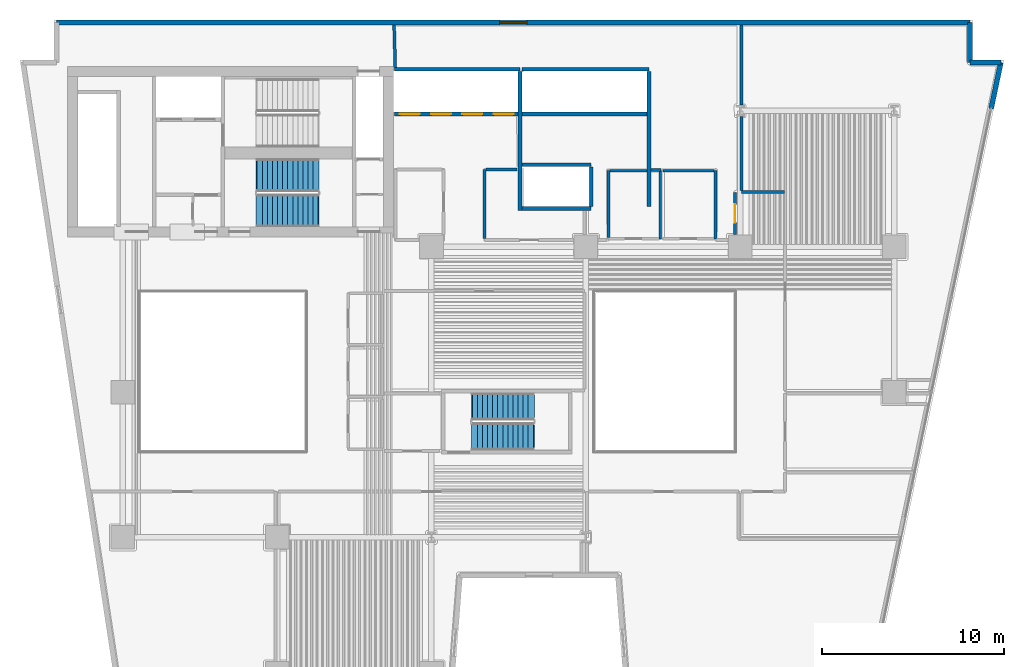
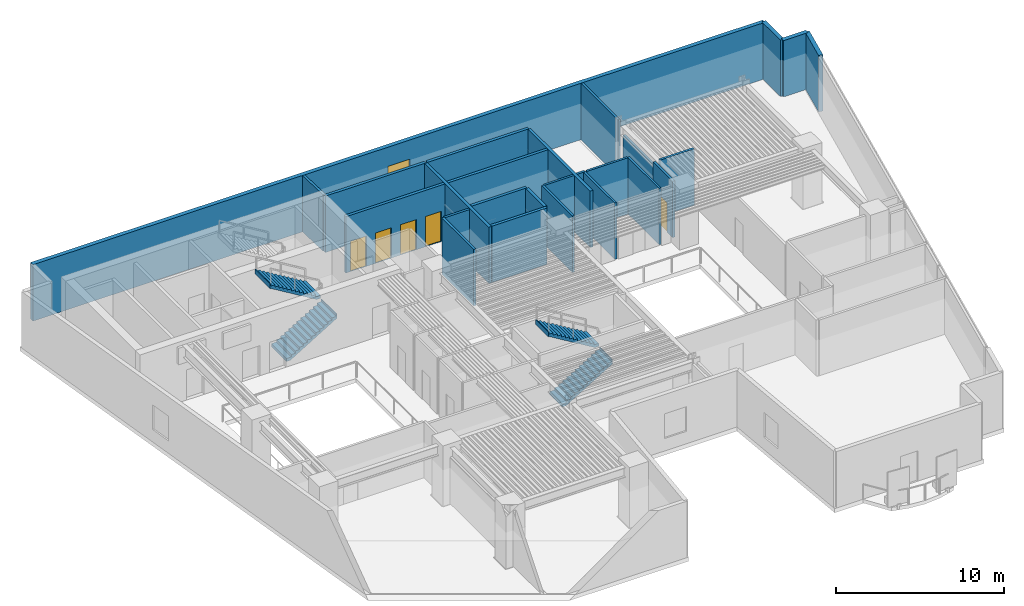
# One storey, part 6 of 12: 26 walls, 5 doors, 4 stair flights, 1 window, 6 openings, 2 elements without a shape of their own.
"""IFC4 building model written with IfcOpenShell, lengths in metres."""

import ifcopenshell
import ifcopenshell.guid

model = None  # the IFC model being written
_history = None  # IfcOwnerHistory: only IFC2X3 demands one
_inside = {}  # id of a spatial element -> (the spatial element, [elements in it])
_under = {}  # id of a project, library or spatial element -> (it, [spatial elements below it])
_declared = {}  # id of a project -> (the project, [libraries it declares])
_typed = {}  # id of a type object -> (the type object, [elements of that type])
_made_of = {}  # id of a material, layer set ... -> (it, [elements and type objects made of it])


def new_model(schema):
    """Start an empty IFC model of exactly this schema.

    Asked for "IFC4X3", IfcOpenShell would pick the latest addendum, in which some entities
    have other attributes; the version numbers below select the first issue.
    IFC2X3 requires an IfcOwnerHistory on every rooted entity: one is made here for all.
    """
    global model, _history
    if schema == "IFC4X3":
        model = ifcopenshell.file(schema_version=(4, 3, 0, 0))
    else:
        model = ifcopenshell.file(schema=schema)
    _inside.clear()
    _under.clear()
    _declared.clear()
    _typed.clear()
    _made_of.clear()
    _history = None
    if model.schema == "IFC2X3":
        org = make("IfcOrganization", Name="unknown")
        user = make(
            "IfcPersonAndOrganization",
            ThePerson=make("IfcPerson", FamilyName="unknown"),
            TheOrganization=org,
        )
        app = make(
            "IfcApplication",
            ApplicationDeveloper=org,
            Version="unknown",
            ApplicationFullName="unknown",
            ApplicationIdentifier="unknown",
        )
        _history = make(
            "IfcOwnerHistory",
            OwningUser=user,
            OwningApplication=app,
            ChangeAction="ADDED",
            CreationDate=0,
        )
    return model


def make(cls, **values):
    """One entity of the class cls with the attributes given. An attribute that is None is left unset."""
    return model.create_entity(
        cls, **{name: value for name, value in values.items() if value is not None}
    )


def rooted(cls, **values):
    """An entity with a GlobalId (a new one), such as an element, a storey or a relation."""
    return make(cls, GlobalId=ifcopenshell.guid.new(), OwnerHistory=_history, **values)


def si_unit(unit_type, name, prefix=None):
    """IfcSIUnit, for example si_unit("LENGTHUNIT", "METRE", prefix="MILLI")."""
    return make("IfcSIUnit", UnitType=unit_type, Prefix=prefix, Name=name)


def assignment(units):
    """IfcUnitAssignment: the units of a project."""
    return None if units is None else make("IfcUnitAssignment", Units=units)


def point(xyz):
    """IfcCartesianPoint."""
    return None if xyz is None else make("IfcCartesianPoint", Coordinates=xyz)


def direction(xyz):
    """IfcDirection."""
    return None if xyz is None else make("IfcDirection", DirectionRatios=xyz)


def frame(location, z_axis=None, x_axis=None):
    """IfcAxis2Placement3D, a coordinate frame: its origin and axes. An axis left out is left unset."""
    return make(
        "IfcAxis2Placement3D",
        Location=point(location),
        Axis=direction(z_axis),
        RefDirection=direction(x_axis),
    )


def frame_2d(location, x_axis=None):
    """IfcAxis2Placement2D, a coordinate frame in the plane: its origin and x axis."""
    return make(
        "IfcAxis2Placement2D", Location=point(location), RefDirection=direction(x_axis)
    )


def origin():
    """The frame at (0, 0, 0) with its axes left unset."""
    return frame((0.0, 0.0, 0.0))


def place(relative_to, where):
    """IfcLocalPlacement: puts the frame where relative to a parent placement (None: the world)."""
    return make(
        "IfcLocalPlacement", PlacementRelTo=relative_to, RelativePlacement=where
    )


def context(
    kind, dimensions, precision=None, world=None, true_north=None, identifier=None
):
    """IfcGeometricRepresentationContext, for example the 3D "Model" context."""
    return make(
        "IfcGeometricRepresentationContext",
        ContextIdentifier=identifier,
        ContextType=kind,
        CoordinateSpaceDimension=dimensions,
        Precision=precision,
        WorldCoordinateSystem=world,
        TrueNorth=true_north,
    )


def subcontext(parent, identifier, kind, view, scale=None):
    """IfcGeometricRepresentationSubContext, for example "Body" below "Model"."""
    return make(
        "IfcGeometricRepresentationSubContext",
        ContextIdentifier=identifier,
        ContextType=kind,
        ParentContext=parent,
        TargetScale=scale,
        TargetView=view,
    )


def project(units=None, contexts=None):
    """IfcProject with its units and contexts."""
    return rooted(
        "IfcProject",
        Name="project",
        RepresentationContexts=contexts,
        UnitsInContext=assignment(units),
    )


def spatial(cls, under=None, at=None, **own):
    """A site, building, storey or space (cls), placed at a placement, below another one or the project."""
    s = rooted(cls, ObjectPlacement=at, **own)
    if under is not None:
        _under.setdefault(under.id(), (under, []))[1].append(s)
    return s


def polyline(points):
    """IfcPolyline through the points."""
    return make("IfcPolyline", Points=[point(p) for p in points])


def profile(cls, at=None, kind="AREA", **sizes):
    """A parametric profile (cls). Its sizes go by their IFC names, for example OverallWidth=200.0."""
    return make(cls, ProfileType=kind, Position=at, **sizes)


def rectangle(**sizes):
    """IfcRectangleProfileDef."""
    return profile("IfcRectangleProfileDef", **sizes)


def outline(outer, holes=None, kind="AREA"):
    """IfcArbitraryClosedProfileDef: a profile drawn as a closed curve; with holes, ...WithVoids."""
    if holes is None:
        return make("IfcArbitraryClosedProfileDef", ProfileType=kind, OuterCurve=outer)
    return make(
        "IfcArbitraryProfileDefWithVoids",
        ProfileType=kind,
        OuterCurve=outer,
        InnerCurves=holes,
    )


def extrude(swept, where, along, depth):
    """IfcExtrudedAreaSolid: the profile swept, set in the frame where, extruded along a direction by depth."""
    return make(
        "IfcExtrudedAreaSolid",
        SweptArea=swept,
        Position=where,
        ExtrudedDirection=direction(along),
        Depth=depth,
    )


def shape(context_of_items, identifier, shape_type, items):
    """IfcShapeRepresentation: the items that make up one representation, for example the "Body"."""
    return make(
        "IfcShapeRepresentation",
        ContextOfItems=context_of_items,
        RepresentationIdentifier=identifier,
        RepresentationType=shape_type,
        Items=items,
    )


def material(Name=None, Category=None):
    """IfcMaterial."""
    return make("IfcMaterial", Name=Name, Category=Category)


def layer(
    of_material, thickness, ventilated=None, Name=None, Category=None, Priority=None
):
    """IfcMaterialLayer: one layer of a wall or slab, of a material (None: an air gap)."""
    return make(
        "IfcMaterialLayer",
        Material=of_material,
        LayerThickness=thickness,
        IsVentilated=ventilated,
        Name=Name,
        Category=Category,
        Priority=Priority,
    )


def layer_set(layers, Name=None):
    """IfcMaterialLayerSet."""
    return make("IfcMaterialLayerSet", MaterialLayers=layers, LayerSetName=Name)


def made_of(thing, what):
    """Note that an element or type object is made of a material, layer set ...; save() writes the relation."""
    if what is not None:
        _made_of.setdefault(what.id(), (what, []))[1].append(thing)
    return thing


def type_object(cls, material=None, **own):
    """A type object (cls), such as IfcWallType, which elements share."""
    return made_of(rooted(cls, **own), material)


def element(
    cls,
    number,
    at=None,
    inside=None,
    cuts=None,
    type_object=None,
    material=None,
    context=None,
    identifier="Body",
    shape_type=None,
    held_by="IfcProductDefinitionShape",
    body=None,
    shapes=None,
    **own,
):
    """One element of the class cls, such as IfcWall. Its Tag is "e" and its number.

    at: its placement. inside: the storey or other place that contains it. cuts: it is an
    opening in that element (IfcRelVoidsElement). A single representation is given by context,
    identifier, shape_type and body (its items); several are given by shapes. held_by: the class
    of the entity that holds the representations. save() writes the other relations.
    """
    e = rooted(cls, Tag="e%d" % number, ObjectPlacement=at, **own)
    if body is not None:
        shapes = [shape(context, identifier, shape_type, body)]
    if shapes is not None:
        e.Representation = make(held_by, Representations=shapes)
    if inside is not None:
        _inside.setdefault(inside.id(), (inside, []))[1].append(e)
    if cuts is not None:
        rooted(
            "IfcRelVoidsElement", RelatingBuildingElement=cuts, RelatedOpeningElement=e
        )
    if type_object is not None:
        _typed.setdefault(type_object.id(), (type_object, []))[1].append(e)
    return made_of(e, material)


def fill(opening, filler):
    """IfcRelFillsElement: the door or window that sits in an opening."""
    return rooted(
        "IfcRelFillsElement",
        RelatingOpeningElement=opening,
        RelatedBuildingElement=filler,
    )


def aggregate(whole, parts):
    """IfcRelAggregates: a whole, such as a stair, and the parts it consists of."""
    return rooted("IfcRelAggregates", RelatingObject=whole, RelatedObjects=parts)


def save(model, path):
    """Write the relations noted so far, then the file.

    IfcRelAggregates (storeys below a building ...), IfcRelContainedInSpatialStructure (elements
    in a storey), IfcRelDefinesByType, IfcRelAssociatesMaterial and IfcRelDeclares: one each for
    every whole, place, type object, material and project.
    """
    for whole, parts in _under.values():
        aggregate(whole, parts)
    for where, things in _inside.values():
        rooted(
            "IfcRelContainedInSpatialStructure",
            RelatedElements=things,
            RelatingStructure=where,
        )
    for kind, things in _typed.values():
        rooted("IfcRelDefinesByType", RelatedObjects=things, RelatingType=kind)
    for what, things in _made_of.values():
        rooted("IfcRelAssociatesMaterial", RelatedObjects=things, RelatingMaterial=what)
    for by, libraries in _declared.values():
        rooted("IfcRelDeclares", RelatingContext=by, RelatedDefinitions=libraries)
    model.write(path)


model = new_model("IFC4")

# Units and contexts
model_context = context("Model", 3, precision=1e-05, world=origin(), true_north=direction((0.0, 1.0)))
body_context = subcontext(model_context, "Body", "Model", "MODEL_VIEW")
ifc_project = project(units=[si_unit("LENGTHUNIT", "METRE"), si_unit("AREAUNIT", "SQUARE_METRE"), si_unit("VOLUMEUNIT", "CUBIC_METRE"), si_unit("PLANEANGLEUNIT", "RADIAN"), si_unit("MASSUNIT", "GRAM", prefix="KILO")], contexts=[model_context])

# Site, building, storey
site_placement = place(None, origin())
site = spatial("IfcSite", under=ifc_project, at=site_placement, CompositionType="ELEMENT")
building_placement = place(site_placement, origin())
building = spatial("IfcBuilding", under=site, at=building_placement, Name="Caeloran Harvest Quay", CompositionType="ELEMENT")
storey_placement = place(building_placement, frame((0.0, 0.0, 31.39990234375)))
storey = spatial("IfcBuildingStorey", under=building, at=storey_placement, Name="L07", CompositionType="ELEMENT", Elevation=31.39990234375)

# Wall, opening, window
ifc_material_1 = material(Name="Precast concrete C50/60", Category="concrete")
ifc_layer_1 = layer(ifc_material_1, 0.280029296875, Name="Precast concrete C50/60")
ifc_layer_set_1 = layer_set([ifc_layer_1], Name="Precast concrete C50/60")
wall_type_1 = type_object("IfcWallType", Name="ENV-WALL-EW-280", PredefinedType="STANDARD", material=ifc_layer_set_1)
wall_1_placement = place(storey_placement, frame((4.840087890625, 43.360107421875, 0.0), z_axis=(0.0, 0.0, 1.0), x_axis=(1.0, 0.0, 0.0)))
wall_1 = element("IfcWall", 1, at=wall_1_placement, inside=storey, type_object=wall_type_1, Name="L07 Exterior Precast Concrete Facade Wall 6", PredefinedType="STANDARD", context=body_context, shape_type="SweptSolid", body=[
    extrude(rectangle(XDim=50.31982421875, YDim=0.280029296875, at=frame_2d((25.159912109375, 0.0))), origin(), (0.0, 0.0, 1.0), 4.10009765625),
])
opening_1_placement = place(wall_1_placement, frame((24.409912109375, 0.0, 0.89990234375)))
opening_1 = element("IfcOpeningElement", 2, at=opening_1_placement, cuts=wall_1, Name="Opening W-03", PredefinedType="OPENING", context=body_context, shape_type="SweptSolid", body=[
    extrude(rectangle(XDim=1.5, YDim=1.800048828125, at=frame_2d((0.75, 0.89990234375))), frame((0.0, 0.14990234375, 0.0), z_axis=(0.0, -1.0, 0.0), x_axis=(1.0, 0.0, 0.0)), (0.0, 0.0, 1.0), 0.300048828125),
])
ifc_material_2 = material(Name="Aluminium-Framed Low-E Laminated Glass", Category="aluminium")
window_type = type_object("IfcWindowType", Name="WIN-W-03", PartitioningType="SINGLE_PANEL", PredefinedType="WINDOW", material=ifc_material_2)
window_placement = place(opening_1_placement, origin())
window = element("IfcWindow", 3, at=window_placement, inside=storey, type_object=window_type, Name="L07 Facade Punched Window W-03", OverallHeight=1.800048828125, OverallWidth=1.5, PartitioningType="SINGLE_PANEL", PredefinedType="WINDOW", context=body_context, shape_type="SweptSolid", body=[
    extrude(rectangle(XDim=1.5, YDim=1.800048828125, at=frame_2d((0.75, 0.89990234375))), frame((0.0, 0.030029296875, 0.0), z_axis=(0.0, -1.0, 0.0), x_axis=(1.0, 0.0, 0.0)), (0.0, 0.0, 1.0), 0.06005859375),
])
fill(opening_1, window)

# Walls
wall_2_placement = place(storey_placement, frame((55.159912109375, 43.360107421875, 0.0), z_axis=(0.0, 0.0, 1.0), x_axis=(0.0, -1.0, 0.0)))
element("IfcWall", 4, at=wall_2_placement, inside=storey, type_object=wall_type_1, Name="L07 Exterior Precast Concrete Facade Wall 7", PredefinedType="STANDARD", context=body_context, shape_type="SweptSolid", body=[
    extrude(rectangle(XDim=2.2001953125, YDim=0.280029296875, at=frame_2d((1.10009765625, 0.0))), origin(), (0.0, 0.0, 1.0), 4.10009765625),
])
wall_3_placement = place(storey_placement, frame((55.159912109375, 41.159912109375, 0.0), z_axis=(0.0, 0.0, 1.0), x_axis=(1.0, 0.0, 0.0)))
element("IfcWall", 5, at=wall_3_placement, inside=storey, type_object=wall_type_1, Name="L07 Exterior Precast Concrete Facade Wall 8", PredefinedType="STANDARD", context=body_context, shape_type="SweptSolid", body=[
    extrude(rectangle(XDim=1.705322265625, YDim=0.280029296875, at=frame_2d((0.8525390625, 0.0))), origin(), (0.0, 0.0, 1.0), 4.10009765625),
])
wall_4_placement = place(storey_placement, frame((56.865234375, 41.159912109375, 0.0), z_axis=(0.0, 0.0, 1.0), x_axis=(-0.205551409765, -0.978646319128, 0.0)))
element("IfcWall", 6, at=wall_4_placement, inside=storey, type_object=wall_type_1, Name="L07 Exterior Facade Corner Pier Wall 9A", PredefinedType="STANDARD", context=body_context, shape_type="SweptSolid", body=[
    extrude(rectangle(XDim=2.599853515625, YDim=0.280029296875, at=frame_2d((1.2998046875, 0.0))), origin(), (0.0, 0.0, 1.0), 4.10009765625),
])
ifc_material_3 = material(Name="Autoclaved Aerated Concrete Blockwork and Plasterboard", Category="masonry")
ifc_layer_2 = layer(ifc_material_3, 0.14990234375, Name="Autoclaved Aerated Concrete Blockwork and Plasterboard")
ifc_layer_set_2 = layer_set([ifc_layer_2], Name="Autoclaved Aerated Concrete Blockwork and Plasterboard")
wall_type_2 = type_object("IfcWallType", Name="INT-WALL-PW-150", PredefinedType="PARTITIONING", material=ifc_layer_set_2)
wall_5_placement = place(storey_placement, frame((38.10009765625, 35.199951171875, 0.0), z_axis=(0.0, 0.0, 1.0), x_axis=(0.0, -1.0, 0.0)))
element("IfcWall", 7, at=wall_5_placement, inside=storey, type_object=wall_type_2, Name="L07 Core Telemetry West Room Partition Wall", PredefinedType="PARTITIONING", context=body_context, shape_type="SweptSolid", body=[
    extrude(rectangle(XDim=3.75, YDim=0.14990234375, at=frame_2d((1.875, 0.0))), origin(), (0.0, 0.0, 1.0), 4.10009765625),
])
wall_6_placement = place(storey_placement, frame((35.25, 31.530029296875, 0.0), z_axis=(0.0, 0.0, 1.0), x_axis=(0.0, 1.0, 0.0)))
element("IfcWall", 8, at=wall_6_placement, inside=storey, type_object=wall_type_2, Name="L07 Core Telemetry West Room Partition Wall", PredefinedType="PARTITIONING", context=body_context, shape_type="SweptSolid", body=[
    extrude(rectangle(XDim=3.669921875, YDim=0.14990234375, at=frame_2d((1.8349609375, 0.0))), origin(), (0.0, 0.0, 1.0), 4.10009765625),
])
wall_7_placement = place(storey_placement, frame((35.330078125, 35.199951171875, 0.0), z_axis=(0.0, 0.0, 1.0), x_axis=(1.0, 0.0, 0.0)))
element("IfcWall", 9, at=wall_7_placement, inside=storey, type_object=wall_type_2, Name="L07 Core Telemetry West Room Partition Wall", PredefinedType="PARTITIONING", context=body_context, shape_type="SweptSolid", body=[
    extrude(rectangle(XDim=2.044921875, YDim=0.14990234375, at=frame_2d((1.0224609375, 0.0))), origin(), (0.0, 0.0, 1.0), 4.10009765625),
])
wall_8_placement = place(storey_placement, frame((41.14990234375, 35.199951171875, 0.0), z_axis=(0.0, 0.0, 1.0), x_axis=(0.0, -1.0, 0.0)))
element("IfcWall", 10, at=wall_8_placement, inside=storey, type_object=wall_type_2, Name="L07 Core Metering East Room Partition Wall", PredefinedType="PARTITIONING", context=body_context, shape_type="SweptSolid", body=[
    extrude(rectangle(XDim=3.75, YDim=0.14990234375, at=frame_2d((1.875, 0.0))), origin(), (0.0, 0.0, 1.0), 4.10009765625),
])
wall_9_placement = place(storey_placement, frame((38.25, 35.199951171875, 0.0), z_axis=(0.0, 0.0, 1.0), x_axis=(1.0, 0.0, 0.0)))
element("IfcWall", 11, at=wall_9_placement, inside=storey, type_object=wall_type_2, Name="L07 Core Metering East Room Partition Wall", PredefinedType="PARTITIONING", context=body_context, shape_type="SweptSolid", body=[
    extrude(rectangle(XDim=2.820068359375, YDim=0.14990234375, at=frame_2d((1.41015625, 0.0))), origin(), (0.0, 0.0, 1.0), 4.10009765625),
])
ifc_material_4 = material(Name="Autoclaved Aerated Concrete Blockwork", Category="masonry")
ifc_layer_3 = layer(ifc_material_4, 0.1650390625, Name="Autoclaved Aerated Concrete Blockwork")
ifc_layer_set_3 = layer_set([ifc_layer_3], Name="Autoclaved Aerated Concrete Blockwork")
wall_type_3 = type_object("IfcWallType", Name="INT-WALL-PW-165", PredefinedType="PARTITIONING", material=ifc_layer_set_3)
wall_10_placement = place(storey_placement, frame((28.429931640625, 31.467529296875, 0.0), z_axis=(0.0, 0.0, 1.0), x_axis=(0.0, 1.0, 0.0)))
element("IfcWall", 12, at=wall_10_placement, inside=storey, type_object=wall_type_3, Name="Equipment Sterilisation Room Partition Wall", PredefinedType="PARTITIONING", context=body_context, shape_type="SweptSolid", body=[
    extrude(rectangle(XDim=3.802490234375, YDim=0.1650390625, at=frame_2d((1.9013671875, 0.0))), origin(), (0.0, 0.0, 1.0), 4.10009765625),
])
wall_11_placement = place(storey_placement, frame((28.517578125, 35.27001953125, 0.0), z_axis=(0.0, 0.0, 1.0), x_axis=(1.0, 0.0, 0.0)))
element("IfcWall", 13, at=wall_11_placement, inside=storey, type_object=wall_type_3, Name="Equipment Sterilisation Room Partition Wall", PredefinedType="PARTITIONING", context=body_context, shape_type="SweptSolid", body=[
    extrude(rectangle(XDim=1.702392578125, YDim=0.1650390625, at=frame_2d((0.85107421875, 0.0))), origin(), (0.0, 0.0, 1.0), 4.10009765625),
])
wall_12_placement = place(storey_placement, frame((44.949951171875, 34.030029296875, 0.0), z_axis=(0.0, 0.0, 1.0), x_axis=(-1.0, 0.0, 0.0)))
element("IfcWall", 14, at=wall_12_placement, inside=storey, type_object=wall_type_3, Name="Aeroponic Root-Mist Growing Chamber 10 Partition Wall", PredefinedType="PARTITIONING", context=body_context, shape_type="SweptSolid", body=[
    extrude(rectangle(XDim=2.369873046875, YDim=0.1650390625, at=frame_2d((1.18505859375, 0.0))), origin(), (0.0, 0.0, 1.0), 4.10009765625),
])
wall_13_placement = place(storey_placement, frame((42.580078125, 34.117431640625, 0.0), z_axis=(0.0, 0.0, 1.0), x_axis=(0.0, 1.0, 0.0)))
element("IfcWall", 15, at=wall_13_placement, inside=storey, type_object=wall_type_3, Name="Aeroponic Root-Mist Growing Chamber 10 Partition Wall", PredefinedType="PARTITIONING", context=body_context, shape_type="SweptSolid", body=[
    extrude(rectangle(XDim=4.072998046875, YDim=0.1650390625, at=frame_2d((2.03662109375, 0.0))), origin(), (0.0, 0.0, 1.0), 3.385009765625),
])
wall_14_placement = place(storey_placement, frame((42.580078125, 38.8095703125, 0.0), z_axis=(0.0, 0.0, 1.0), x_axis=(0.0, 1.0, 0.0)))
element("IfcWall", 16, at=wall_14_placement, inside=storey, type_object=wall_type_3, Name="Aeroponic Root-Mist Growing Chamber 10 Partition Wall", PredefinedType="PARTITIONING", context=body_context, shape_type="SweptSolid", body=[
    extrude(rectangle(XDim=4.405517578125, YDim=0.1650390625, at=frame_2d((2.20263671875, 0.0))), origin(), (0.0, 0.0, 1.0), 4.10009765625),
])
wall_15_placement = place(storey_placement, frame((23.505615234375, 40.885009765625, 0.0), z_axis=(0.0, 0.0, 1.0), x_axis=(-0.027441464163, 0.999623412113, 0.0)))
element("IfcWall", 17, at=wall_15_placement, inside=storey, type_object=wall_type_3, Name="Seedling Nursery Room 11 Partition Wall", PredefinedType="PARTITIONING", context=body_context, shape_type="SweptSolid", body=[
    extrude(rectangle(XDim=2.3310546875, YDim=0.1650390625, at=frame_2d((1.16552734375, 0.0))), origin(), (0.0, 0.0, 1.0), 4.10009765625),
])

# Wall, opening, door
wall_16_placement = place(storey_placement, frame((42.219970703125, 34.0029296875, 0.0), z_axis=(0.0, 0.0, 1.0), x_axis=(0.0, -1.0, 0.0)))
wall_16 = element("IfcWall", 18, at=wall_16_placement, inside=storey, type_object=wall_type_3, Name="Seedling Nursery Room 11 Partition Wall", PredefinedType="PARTITIONING", context=body_context, shape_type="SweptSolid", body=[
    extrude(rectangle(XDim=2.327880859375, YDim=0.1650390625, at=frame_2d((1.1640625, 0.0))), origin(), (0.0, 0.0, 1.0), 4.10009765625),
])
opening_2_placement = place(wall_16_placement, frame((0.6640625, 0.0, 0.0)))
opening_2 = element("IfcOpeningElement", 19, at=opening_2_placement, cuts=wall_16, Name="Opening ID-01", PredefinedType="OPENING", context=body_context, shape_type="SweptSolid", body=[
    extrude(rectangle(XDim=1.0, YDim=2.14990234375, at=frame_2d((0.5, 1.074951171875))), frame((0.0, 0.092529296875, 0.0), z_axis=(0.0, -1.0, 0.0), x_axis=(1.0, 0.0, 0.0)), (0.0, 0.0, 1.0), 0.18505859375),
])
ifc_material_5 = material(Name="FSC Solid-Core Ash Timber and Acoustic Seal", Category="wood")
door_type_1 = type_object("IfcDoorType", Name="INTDOOR-ID-01", OperationType="NOTDEFINED", PredefinedType="DOOR", material=ifc_material_5)
door_1_placement = place(opening_2_placement, origin())
door_1 = element("IfcDoor", 20, at=door_1_placement, inside=storey, type_object=door_type_1, Name="Seedling Nursery Room 11 Access Door", OperationType="SINGLE_SWING_LEFT", OverallHeight=2.14990234375, OverallWidth=1.0, PredefinedType="DOOR", context=body_context, shape_type="SweptSolid", body=[
    extrude(rectangle(XDim=1.0, YDim=2.14990234375, at=frame_2d((0.5, 1.074951171875))), frame((0.0, 0.02490234375, 0.0), z_axis=(0.0, -1.0, 0.0), x_axis=(1.0, 0.0, 0.0)), (0.0, 0.0, 1.0), 0.050048828125),
])
fill(opening_2, door_1)

# Walls
wall_17_placement = place(storey_placement, frame((38.155517578125, 35.22998046875, 0.0), z_axis=(0.0, 0.0, 1.0), x_axis=(-1.0, 0.0, 0.0)))
element("IfcWall", 21, at=wall_17_placement, inside=storey, type_object=wall_type_3, Name="Seedling Nursery Room 11 Partition Wall", PredefinedType="PARTITIONING", context=body_context, shape_type="SweptSolid", body=[
    extrude(rectangle(XDim=0.570556640625, YDim=0.1650390625, at=frame_2d((0.28515625, 0.0))), origin(), (0.0, 0.0, 1.0), 4.10009765625),
])
ifc_material_6 = material(Name="Concrete C50/60", Category="concrete")
ifc_layer_4 = layer(ifc_material_6, 0.199951171875, Name="Concrete C50/60")
ifc_layer_set_4 = layer_set([ifc_layer_4], Name="Concrete C50/60")
wall_type_4 = type_object("IfcWallType", Name="INT-WALL-SW-200", PredefinedType="PARTITIONING", material=ifc_layer_set_4)
wall_18_placement = place(storey_placement, frame((23.469970703125, 40.780029296875, 0.0), z_axis=(0.0, 0.0, 1.0), x_axis=(1.0, 0.0, 0.0)))
element("IfcWall", 22, at=wall_18_placement, inside=storey, type_object=wall_type_4, Name="L07 Bank 1 Lift Shaft North Wall", PredefinedType="PARTITIONING", context=body_context, shape_type="SweptSolid", body=[
    extrude(rectangle(XDim=6.909912109375, YDim=0.199951171875, at=frame_2d((3.455078125, 0.0))), origin(), (0.0, 0.0, 1.0), 4.10009765625),
])
wall_19_placement = place(storey_placement, frame((30.3798828125, 33.02001953125, 0.0), z_axis=(0.0, 0.0, 1.0), x_axis=(0.0, 1.0, 0.0)))
element("IfcWall", 23, at=wall_19_placement, inside=storey, type_object=wall_type_4, Name="L07 Bank 1 Lift Shaft East Wall", PredefinedType="PARTITIONING", context=body_context, shape_type="SweptSolid", body=[
    extrude(rectangle(XDim=7.639892578125, YDim=0.199951171875, at=frame_2d((3.81982421875, 0.0))), origin(), (0.0, 0.0, 1.0), 4.10009765625),
])

# Wall, openings, doors
wall_20_placement = place(storey_placement, frame((23.469970703125, 38.320068359375, 0.0), z_axis=(0.0, 0.0, 1.0), x_axis=(1.0, 0.0, 0.0)))
wall_20 = element("IfcWall", 24, at=wall_20_placement, inside=storey, type_object=wall_type_4, Name="L07 Bank 1 Lift Landing Front Wall", PredefinedType="PARTITIONING", context=body_context, shape_type="SweptSolid", body=[
    extrude(rectangle(XDim=6.7900390625, YDim=0.199951171875, at=frame_2d((3.39501953125, 0.0))), origin(), (0.0, 0.0, 1.0), 4.10009765625),
])
opening_3_placement = place(wall_20_placement, frame((0.2900390625, 0.0, 0.0)))
opening_3 = element("IfcOpeningElement", 25, at=opening_3_placement, cuts=wall_20, Name="Opening LD-01", PredefinedType="OPENING", context=body_context, shape_type="SweptSolid", body=[
    extrude(rectangle(XDim=1.10009765625, YDim=2.199951171875, at=frame_2d((0.550048828125, 1.10009765625))), frame((0.0, 0.10986328125, 0.0), z_axis=(0.0, -1.0, 0.0), x_axis=(1.0, 0.0, 0.0)), (0.0, 0.0, 1.0), 0.219970703125),
])
opening_4_placement = place(wall_20_placement, frame((2.010009765625, 0.0, 0.0)))
opening_4 = element("IfcOpeningElement", 26, at=opening_4_placement, cuts=wall_20, Name="Opening LD-01", PredefinedType="OPENING", context=body_context, shape_type="SweptSolid", body=[
    extrude(rectangle(XDim=1.10009765625, YDim=2.199951171875, at=frame_2d((0.550048828125, 1.10009765625))), frame((0.0, 0.10986328125, 0.0), z_axis=(0.0, -1.0, 0.0), x_axis=(1.0, 0.0, 0.0)), (0.0, 0.0, 1.0), 0.219970703125),
])
opening_5_placement = place(wall_20_placement, frame((3.72998046875, 0.0, 0.0)))
opening_5 = element("IfcOpeningElement", 27, at=opening_5_placement, cuts=wall_20, Name="Opening LD-01", PredefinedType="OPENING", context=body_context, shape_type="SweptSolid", body=[
    extrude(rectangle(XDim=1.10009765625, YDim=2.199951171875, at=frame_2d((0.550048828125, 1.10009765625))), frame((0.0, 0.10986328125, 0.0), z_axis=(0.0, -1.0, 0.0), x_axis=(1.0, 0.0, 0.0)), (0.0, 0.0, 1.0), 0.219970703125),
])
opening_6_placement = place(wall_20_placement, frame((5.449951171875, 0.0, 0.0)))
opening_6 = element("IfcOpeningElement", 28, at=opening_6_placement, cuts=wall_20, Name="Opening LD-01", PredefinedType="OPENING", context=body_context, shape_type="SweptSolid", body=[
    extrude(rectangle(XDim=1.10009765625, YDim=2.199951171875, at=frame_2d((0.550048828125, 1.10009765625))), frame((0.0, 0.10986328125, 0.0), z_axis=(0.0, -1.0, 0.0), x_axis=(1.0, 0.0, 0.0)), (0.0, 0.0, 1.0), 0.219970703125),
])
ifc_material_7 = material(Name="Stainless Steel Grade 316", Category="steel")
door_type_2 = type_object("IfcDoorType", Name="INTDOOR-LD-01", OperationType="NOTDEFINED", PredefinedType="DOOR", material=ifc_material_7)
door_2_placement = place(opening_3_placement, origin())
door_2 = element("IfcDoor", 29, at=door_2_placement, inside=storey, type_object=door_type_2, Name="Lift P1-1 Sliding Landing Door (L07)", OperationType="DOUBLE_DOOR_SLIDING", OverallHeight=2.199951171875, OverallWidth=1.10009765625, PredefinedType="DOOR", context=body_context, shape_type="SweptSolid", body=[
    extrude(rectangle(XDim=1.10009765625, YDim=2.199951171875, at=frame_2d((0.550048828125, 1.10009765625))), frame((0.0, 0.02490234375, 0.0), z_axis=(0.0, -1.0, 0.0), x_axis=(1.0, 0.0, 0.0)), (0.0, 0.0, 1.0), 0.050048828125),
])
fill(opening_3, door_2)
door_3_placement = place(opening_4_placement, origin())
door_3 = element("IfcDoor", 30, at=door_3_placement, inside=storey, type_object=door_type_2, Name="Lift P1-2 Sliding Landing Door (L07)", OperationType="DOUBLE_DOOR_SLIDING", OverallHeight=2.199951171875, OverallWidth=1.10009765625, PredefinedType="DOOR", context=body_context, shape_type="SweptSolid", body=[
    extrude(rectangle(XDim=1.10009765625, YDim=2.199951171875, at=frame_2d((0.550048828125, 1.10009765625))), frame((0.0, 0.02490234375, 0.0), z_axis=(0.0, -1.0, 0.0), x_axis=(1.0, 0.0, 0.0)), (0.0, 0.0, 1.0), 0.050048828125),
])
fill(opening_4, door_3)
door_4_placement = place(opening_5_placement, origin())
door_4 = element("IfcDoor", 31, at=door_4_placement, inside=storey, type_object=door_type_2, Name="Lift P1-3 Sliding Landing Door (L07)", OperationType="DOUBLE_DOOR_SLIDING", OverallHeight=2.199951171875, OverallWidth=1.10009765625, PredefinedType="DOOR", context=body_context, shape_type="SweptSolid", body=[
    extrude(rectangle(XDim=1.10009765625, YDim=2.199951171875, at=frame_2d((0.550048828125, 1.10009765625))), frame((0.0, 0.02490234375, 0.0), z_axis=(0.0, -1.0, 0.0), x_axis=(1.0, 0.0, 0.0)), (0.0, 0.0, 1.0), 0.050048828125),
])
fill(opening_5, door_4)
door_5_placement = place(opening_6_placement, origin())
door_5 = element("IfcDoor", 32, at=door_5_placement, inside=storey, type_object=door_type_2, Name="Lift P1-4 Sliding Landing Door (L07)", OperationType="DOUBLE_DOOR_SLIDING", OverallHeight=2.199951171875, OverallWidth=1.10009765625, PredefinedType="DOOR", context=body_context, shape_type="SweptSolid", body=[
    extrude(rectangle(XDim=1.10009765625, YDim=2.199951171875, at=frame_2d((0.550048828125, 1.10009765625))), frame((0.0, 0.02490234375, 0.0), z_axis=(0.0, -1.0, 0.0), x_axis=(1.0, 0.0, 0.0)), (0.0, 0.0, 1.0), 0.050048828125),
])
fill(opening_6, door_5)

# Walls
wall_21_placement = place(storey_placement, frame((30.5, 40.780029296875, 0.0), z_axis=(0.0, 0.0, 1.0), x_axis=(1.0, 0.0, 0.0)))
element("IfcWall", 33, at=wall_21_placement, inside=storey, type_object=wall_type_4, Name="L07 Bank 2 Lift Shaft North Wall", PredefinedType="PARTITIONING", context=body_context, shape_type="SweptSolid", body=[
    extrude(rectangle(XDim=6.97998046875, YDim=0.199951171875, at=frame_2d((3.489990234375, 0.0))), origin(), (0.0, 0.0, 1.0), 4.10009765625),
])
wall_22_placement = place(storey_placement, frame((37.47998046875, 33.239990234375, 0.0), z_axis=(0.0, 0.0, 1.0), x_axis=(0.0, 1.0, 0.0)))
element("IfcWall", 34, at=wall_22_placement, inside=storey, type_object=wall_type_4, Name="L07 Bank 2 Lift Shaft East Wall", PredefinedType="PARTITIONING", context=body_context, shape_type="SweptSolid", body=[
    extrude(rectangle(XDim=7.419921875, YDim=0.199951171875, at=frame_2d((3.7099609375, 0.0))), origin(), (0.0, 0.0, 1.0), 4.10009765625),
])
wall_23_placement = place(storey_placement, frame((30.5, 38.320068359375, 0.0), z_axis=(0.0, 0.0, 1.0), x_axis=(1.0, 0.0, 0.0)))
element("IfcWall", 35, at=wall_23_placement, inside=storey, type_object=wall_type_4, Name="L07 Bank 2 Lift Landing Front Wall", PredefinedType="PARTITIONING", context=body_context, shape_type="SweptSolid", body=[
    extrude(rectangle(XDim=6.860107421875, YDim=0.199951171875, at=frame_2d((3.43017578125, 0.0))), origin(), (0.0, 0.0, 1.0), 4.10009765625),
])
for number, where, z_axis, x_axis, name in (
    (36, (30.5, 35.530029296875, 0.0), (0.0, 0.0, 1.0), (1.0, 0.0, 0.0), "L07 Shuttle Lift Landing Front Wall"),
    (37, (30.5, 33.1201171875, 0.0), (0.0, 0.0, 1.0), (1.0, 0.0, 0.0), "L07 Shuttle Lift Shaft South Wall"),
):
    element("IfcWall", number, at=place(storey_placement, frame(where, z_axis=z_axis, x_axis=x_axis)), inside=storey, type_object=wall_type_4, Name=name, PredefinedType="PARTITIONING", context=body_context, shape_type="SweptSolid", body=[
        extrude(rectangle(XDim=3.800048828125, YDim=0.199951171875, at=frame_2d((1.89990234375, 0.0))), origin(), (0.0, 0.0, 1.0), 4.10009765625),
    ])
wall_24_placement = place(storey_placement, frame((34.300048828125, 33.239990234375, 0.0), z_axis=(0.0, 0.0, 1.0), x_axis=(0.0, 1.0, 0.0)))
element("IfcWall", 38, at=wall_24_placement, inside=storey, type_object=wall_type_4, Name="L07 Shuttle Lift Shaft East Wall", PredefinedType="PARTITIONING", context=body_context, shape_type="SweptSolid", body=[
    extrude(rectangle(XDim=2.169921875, YDim=0.199951171875, at=frame_2d((1.0849609375, 0.0))), origin(), (0.0, 0.0, 1.0), 4.10009765625),
])

# Stair, stair flights
stair_type_1 = type_object("IfcStairType", Name="STAIR-STC-180", PredefinedType="HALF_TURN_STAIR", material=ifc_material_6)
stair_1_placement = place(storey_placement, origin())
stair_1 = element("IfcStair", 39, at=stair_1_placement, inside=storey, type_object=stair_type_1, Name="L07 Core Pressurized Exit Stair ST-C2", PredefinedType="HALF_TURN_STAIR")
stair_flight_type_1 = type_object("IfcStairFlightType", Name="FLIGHT-STC-180", PredefinedType="STRAIGHT", material=ifc_material_6)
stair_flight_1_placement = place(storey_placement, frame((15.89990234375, 33.0, 0.0), z_axis=(0.0, 0.0, 1.0), x_axis=(1.0, 0.0, 0.0)))
stair_flight_1 = element("IfcStairFlight", 40, at=stair_flight_1_placement, type_object=stair_flight_type_1, Name="ST-C2 flight 1", NumberOfRisers=13, NumberOfTreads=12, PredefinedType="STRAIGHT", RiserHeight=0.169230769, TreadLength=0.28, context=body_context, shape_type="SweptSolid", body=[
    extrude(outline(polyline([(-0.054931640625, -0.044921875), (-0.054931640625, -0.031494140625), (-0.054931640625, -0.018310546875), (-0.054931640625, -0.0048828125), (-0.054931640625, 0.008544921875), (-0.054931640625, 0.02197265625), (-0.054931640625, 0.035400390625), (-0.054931640625, 0.048828125), (-0.054931640625, 0.06201171875), (-0.054931640625, 0.075439453125), (-0.054931640625, 0.0888671875), (-0.054931640625, 0.102294921875), (-0.054931640625, 0.11572265625), (-0.054931640625, 0.129150390625), (-0.054931640625, 0.142333984375), (-0.054931640625, 0.15576171875), (-0.054931640625, 0.169189453125), (0.280029296875, 0.169189453125), (0.280029296875, 0.33837890625), (0.56005859375, 0.33837890625), (0.56005859375, 0.5078125), (0.840087890625, 0.5078125), (0.840087890625, 0.677001953125), (1.1201171875, 0.677001953125), (1.1201171875, 0.84619140625), (1.39990234375, 0.84619140625), (1.39990234375, 1.015380859375), (1.679931640625, 1.015380859375), (1.679931640625, 1.1845703125), (1.9599609375, 1.1845703125), (1.9599609375, 1.353759765625), (2.239990234375, 1.353759765625), (2.239990234375, 1.523193359375), (2.52001953125, 1.523193359375), (2.52001953125, 1.6923828125), (2.800048828125, 1.6923828125), (2.800048828125, 1.861572265625), (3.080078125, 1.861572265625), (3.080078125, 2.03076171875), (3.360107421875, 2.03076171875), (3.360107421875, 2.199951171875), (3.4150390625, 2.199951171875), (3.4150390625, 2.178466796875), (3.4150390625, 2.156982421875), (3.4150390625, 2.135498046875), (3.4150390625, 2.114013671875), (3.4150390625, 2.09228515625), (3.4150390625, 2.07080078125), (3.4150390625, 2.04931640625), (3.4150390625, 2.02783203125), (3.4150390625, 2.00634765625), (3.4150390625, 1.98486328125), (3.4150390625, 1.963134765625), (3.4150390625, 1.941650390625), (3.4150390625, 1.920166015625), (3.4150390625, 1.898681640625), (3.4150390625, 1.877197265625), (3.4150390625, 1.855712890625), (3.360107421875, 1.855712890625), (0.21533203125, -0.044921875), (-0.054931640625, -0.044921875)])), frame((0.0, 0.89990234375, 0.0), z_axis=(0.0, -1.0, 0.0), x_axis=(1.0, 0.0, 0.0)), (0.0, 0.0, 1.0), 1.800048828125),
])
stair_flight_2_placement = place(storey_placement, frame((19.260009765625, 34.949951171875, 2.2001953125), z_axis=(0.0, 0.0, 1.0), x_axis=(-1.0, 0.0, 0.0)))
stair_flight_2 = element("IfcStairFlight", 41, at=stair_flight_2_placement, type_object=stair_flight_type_1, Name="ST-C2 flight 2", NumberOfRisers=13, NumberOfTreads=12, PredefinedType="STRAIGHT", RiserHeight=0.169230769, TreadLength=0.28, context=body_context, shape_type="SweptSolid", body=[
    extrude(outline(polyline([(-0.054931640625, -0.044921875), (-0.054931640625, -0.031494140625), (-0.054931640625, -0.018310546875), (-0.054931640625, -0.0048828125), (-0.054931640625, 0.008544921875), (-0.054931640625, 0.02197265625), (-0.054931640625, 0.035400390625), (-0.054931640625, 0.048828125), (-0.054931640625, 0.06201171875), (-0.054931640625, 0.075439453125), (-0.054931640625, 0.0888671875), (-0.054931640625, 0.102294921875), (-0.054931640625, 0.11572265625), (-0.054931640625, 0.129150390625), (-0.054931640625, 0.142333984375), (-0.054931640625, 0.15576171875), (-0.054931640625, 0.169189453125), (0.280029296875, 0.169189453125), (0.280029296875, 0.33837890625), (0.56005859375, 0.33837890625), (0.56005859375, 0.5078125), (0.840087890625, 0.5078125), (0.840087890625, 0.677001953125), (1.1201171875, 0.677001953125), (1.1201171875, 0.84619140625), (1.39990234375, 0.84619140625), (1.39990234375, 1.015380859375), (1.679931640625, 1.015380859375), (1.679931640625, 1.1845703125), (1.9599609375, 1.1845703125), (1.9599609375, 1.353759765625), (2.239990234375, 1.353759765625), (2.239990234375, 1.523193359375), (2.52001953125, 1.523193359375), (2.52001953125, 1.6923828125), (2.800048828125, 1.6923828125), (2.800048828125, 1.861572265625), (3.080078125, 1.861572265625), (3.080078125, 2.03076171875), (3.360107421875, 2.03076171875), (3.360107421875, 2.199951171875), (3.4150390625, 2.199951171875), (3.4150390625, 2.178466796875), (3.4150390625, 2.156982421875), (3.4150390625, 2.135498046875), (3.4150390625, 2.114013671875), (3.4150390625, 2.09228515625), (3.4150390625, 2.07080078125), (3.4150390625, 2.04931640625), (3.4150390625, 2.02783203125), (3.4150390625, 2.00634765625), (3.4150390625, 1.98486328125), (3.4150390625, 1.963134765625), (3.4150390625, 1.941650390625), (3.4150390625, 1.920166015625), (3.4150390625, 1.898681640625), (3.4150390625, 1.877197265625), (3.4150390625, 1.855712890625), (3.360107421875, 1.855712890625), (0.21533203125, -0.044921875), (-0.054931640625, -0.044921875)])), frame((0.0, 0.89990234375, 0.0), z_axis=(0.0, -1.0, 0.0), x_axis=(1.0, 0.0, 0.0)), (0.0, 0.0, 1.0), 1.800048828125),
])
aggregate(stair_1, [stair_flight_1, stair_flight_2])

stair_type_2 = type_object("IfcStairType", Name="STAIR-STW-150", PredefinedType="HALF_TURN_STAIR", material=ifc_material_6)
stair_2_placement = place(storey_placement, origin())
stair_2 = element("IfcStair", 42, at=stair_2_placement, inside=storey, type_object=stair_type_2, Name="L07 East Wing Protected Exit Stair ST-W1", PredefinedType="HALF_TURN_STAIR")
stair_flight_type_2 = type_object("IfcStairFlightType", Name="FLIGHT-STW-150", PredefinedType="STRAIGHT", material=ifc_material_6)
stair_flight_3_placement = place(storey_placement, frame((27.75, 20.550048828125, 0.0), z_axis=(0.0, 0.0, 1.0), x_axis=(1.0, 0.0, 0.0)))
stair_flight_3 = element("IfcStairFlight", 43, at=stair_flight_3_placement, type_object=stair_flight_type_2, Name="ST-W1 flight 1", NumberOfRisers=13, NumberOfTreads=12, PredefinedType="STRAIGHT", RiserHeight=0.169230769, TreadLength=0.28, context=body_context, shape_type="SweptSolid", body=[
    extrude(outline(polyline([(-0.054931640625, -0.044921875), (-0.054931640625, -0.031494140625), (-0.054931640625, -0.018310546875), (-0.054931640625, -0.0048828125), (-0.054931640625, 0.008544921875), (-0.054931640625, 0.02197265625), (-0.054931640625, 0.035400390625), (-0.054931640625, 0.048828125), (-0.054931640625, 0.06201171875), (-0.054931640625, 0.075439453125), (-0.054931640625, 0.0888671875), (-0.054931640625, 0.102294921875), (-0.054931640625, 0.11572265625), (-0.054931640625, 0.129150390625), (-0.054931640625, 0.142333984375), (-0.054931640625, 0.15576171875), (-0.054931640625, 0.169189453125), (0.280029296875, 0.169189453125), (0.280029296875, 0.33837890625), (0.56005859375, 0.33837890625), (0.56005859375, 0.5078125), (0.840087890625, 0.5078125), (0.840087890625, 0.677001953125), (1.1201171875, 0.677001953125), (1.1201171875, 0.84619140625), (1.39990234375, 0.84619140625), (1.39990234375, 1.015380859375), (1.679931640625, 1.015380859375), (1.679931640625, 1.1845703125), (1.9599609375, 1.1845703125), (1.9599609375, 1.353759765625), (2.239990234375, 1.353759765625), (2.239990234375, 1.523193359375), (2.52001953125, 1.523193359375), (2.52001953125, 1.6923828125), (2.800048828125, 1.6923828125), (2.800048828125, 1.861572265625), (3.080078125, 1.861572265625), (3.080078125, 2.03076171875), (3.360107421875, 2.03076171875), (3.360107421875, 2.199951171875), (3.4150390625, 2.199951171875), (3.4150390625, 2.178466796875), (3.4150390625, 2.156982421875), (3.4150390625, 2.135498046875), (3.4150390625, 2.114013671875), (3.4150390625, 2.09228515625), (3.4150390625, 2.07080078125), (3.4150390625, 2.04931640625), (3.4150390625, 2.02783203125), (3.4150390625, 2.00634765625), (3.4150390625, 1.98486328125), (3.4150390625, 1.963134765625), (3.4150390625, 1.941650390625), (3.4150390625, 1.920166015625), (3.4150390625, 1.898681640625), (3.4150390625, 1.877197265625), (3.4150390625, 1.855712890625), (3.360107421875, 1.855712890625), (0.21533203125, -0.044921875), (-0.054931640625, -0.044921875)])), frame((0.0, 0.75, 0.0), z_axis=(0.0, -1.0, 0.0), x_axis=(1.0, 0.0, 0.0)), (0.0, 0.0, 1.0), 1.5),
])
stair_flight_4_placement = place(storey_placement, frame((31.110107421875, 22.199951171875, 2.2001953125), z_axis=(0.0, 0.0, 1.0), x_axis=(-1.0, 0.0, 0.0)))
stair_flight_4 = element("IfcStairFlight", 44, at=stair_flight_4_placement, type_object=stair_flight_type_2, Name="ST-W1 flight 2", NumberOfRisers=13, NumberOfTreads=12, PredefinedType="STRAIGHT", RiserHeight=0.169230769, TreadLength=0.28, context=body_context, shape_type="SweptSolid", body=[
    extrude(outline(polyline([(-0.054931640625, -0.044921875), (-0.054931640625, -0.031494140625), (-0.054931640625, -0.018310546875), (-0.054931640625, -0.0048828125), (-0.054931640625, 0.008544921875), (-0.054931640625, 0.02197265625), (-0.054931640625, 0.035400390625), (-0.054931640625, 0.048828125), (-0.054931640625, 0.06201171875), (-0.054931640625, 0.075439453125), (-0.054931640625, 0.0888671875), (-0.054931640625, 0.102294921875), (-0.054931640625, 0.11572265625), (-0.054931640625, 0.129150390625), (-0.054931640625, 0.142333984375), (-0.054931640625, 0.15576171875), (-0.054931640625, 0.169189453125), (0.280029296875, 0.169189453125), (0.280029296875, 0.33837890625), (0.56005859375, 0.33837890625), (0.56005859375, 0.5078125), (0.840087890625, 0.5078125), (0.840087890625, 0.677001953125), (1.1201171875, 0.677001953125), (1.1201171875, 0.84619140625), (1.39990234375, 0.84619140625), (1.39990234375, 1.015380859375), (1.679931640625, 1.015380859375), (1.679931640625, 1.1845703125), (1.9599609375, 1.1845703125), (1.9599609375, 1.353759765625), (2.239990234375, 1.353759765625), (2.239990234375, 1.523193359375), (2.52001953125, 1.523193359375), (2.52001953125, 1.6923828125), (2.800048828125, 1.6923828125), (2.800048828125, 1.861572265625), (3.080078125, 1.861572265625), (3.080078125, 2.03076171875), (3.360107421875, 2.03076171875), (3.360107421875, 2.199951171875), (3.4150390625, 2.199951171875), (3.4150390625, 2.178466796875), (3.4150390625, 2.156982421875), (3.4150390625, 2.135498046875), (3.4150390625, 2.114013671875), (3.4150390625, 2.09228515625), (3.4150390625, 2.07080078125), (3.4150390625, 2.04931640625), (3.4150390625, 2.02783203125), (3.4150390625, 2.00634765625), (3.4150390625, 1.98486328125), (3.4150390625, 1.963134765625), (3.4150390625, 1.941650390625), (3.4150390625, 1.920166015625), (3.4150390625, 1.898681640625), (3.4150390625, 1.877197265625), (3.4150390625, 1.855712890625), (3.360107421875, 1.855712890625), (0.21533203125, -0.044921875), (-0.054931640625, -0.044921875)])), frame((0.0, 0.75, 0.0), z_axis=(0.0, -1.0, 0.0), x_axis=(1.0, 0.0, 0.0)), (0.0, 0.0, 1.0), 1.5),
])
aggregate(stair_2, [stair_flight_3, stair_flight_4])

save(model, "model.ifc")
